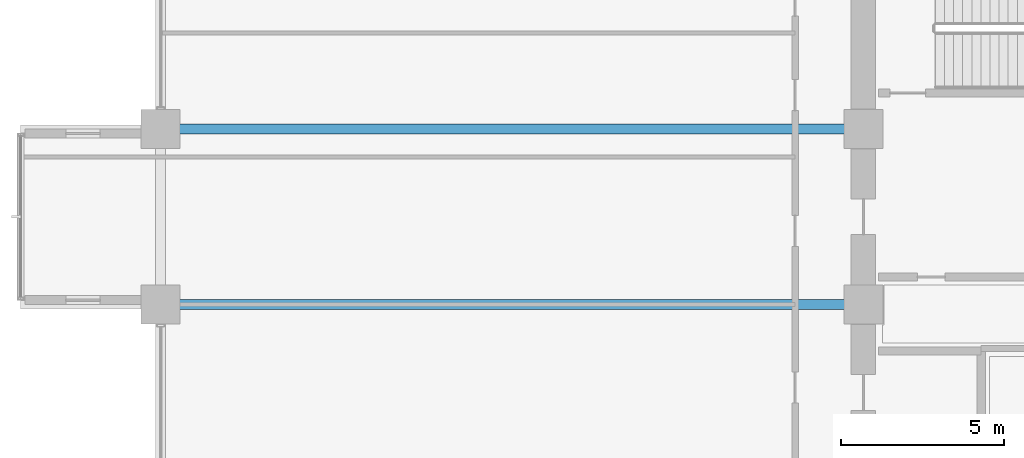
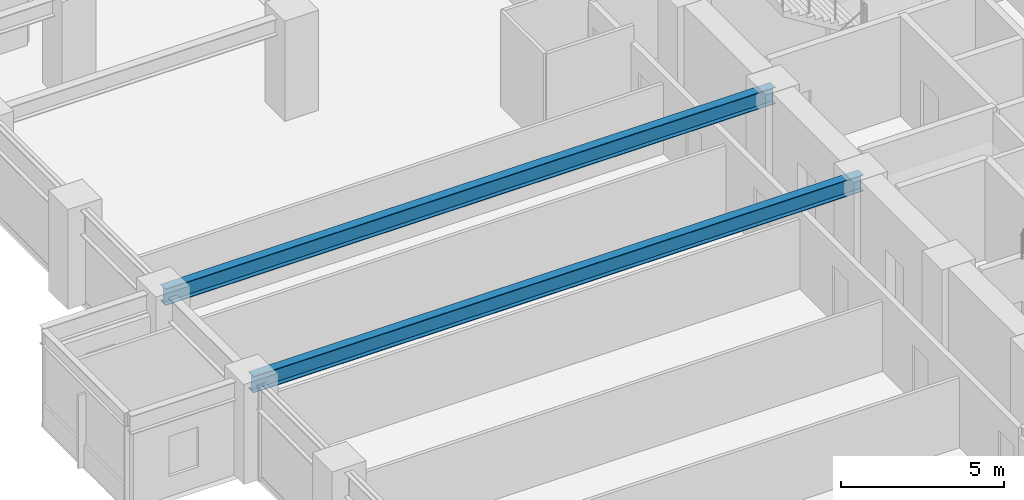
# One storey, part 6 of 28: 2 beams.
"""IFC4 building model written with IfcOpenShell, lengths in metres."""

from ifc_helpers import new_model, si_unit, direction, frame, origin, origin_2d, place, context, subcontext, project, spatial, i_section, extrude, material, material_profile, profile_set, type_object, element, save


model = new_model("IFC4")

# Units and contexts
model_context = context("Model", 3, precision=1e-05, world=origin(), true_north=direction((0.0, 1.0)))
body_context = subcontext(model_context, "Body", "Model", "MODEL_VIEW")
ifc_project = project(units=[si_unit("LENGTHUNIT", "METRE"), si_unit("AREAUNIT", "SQUARE_METRE"), si_unit("VOLUMEUNIT", "CUBIC_METRE"), si_unit("PLANEANGLEUNIT", "RADIAN"), si_unit("MASSUNIT", "GRAM", prefix="KILO")], contexts=[model_context])

# Site, building, storey
site_placement = place(None, origin())
site = spatial("IfcSite", under=ifc_project, at=site_placement, CompositionType="ELEMENT")
building_placement = place(site_placement, origin())
building = spatial("IfcBuilding", under=site, at=building_placement, Name="Surkhivell Harbour Commons", CompositionType="ELEMENT")
storey_placement = place(building_placement, frame((0.0, 0.0, 67.5)))
storey = spatial("IfcBuildingStorey", under=building, at=storey_placement, Name="L17", CompositionType="ELEMENT", Elevation=67.5)

# Beams
ifc_material = material(Name="Steel S355", Category="steel")
ifc_material_profile = material_profile(ifc_material, i_section(OverallWidth=0.306884765625, OverallDepth=0.6201171875, WebThickness=0.01416015625, FlangeThickness=0.023681640625, at=origin_2d()), Name="UB610x305x179")
ifc_profile_set = profile_set([ifc_material_profile], Name="Steel S355")
beam_type = type_object("IfcBeamType", Name="BM-GRD-610A", PredefinedType="BEAM", material=ifc_profile_set)
for number, where, z_axis, x_axis, name in (
    (1, (-32.39990234375, 0.0, 3.260009765625), (1.0, 0.0, 0.0), (0.0, 1.0, 0.0), "L17 Cantilever Back-Span Girder (-32.4,0.0)"),
    (2, (-32.39990234375, 5.39990234375, 3.260009765625), (1.0, 0.0, 0.0), (0.0, 1.0, 0.0), "L17 Cantilever Back-Span Girder (-32.4,5.4)"),
):
    element("IfcBeam", number, at=place(storey_placement, frame(where, z_axis=z_axis, x_axis=x_axis)), inside=storey, type_object=beam_type, Name=name, PredefinedType="BEAM", context=body_context, shape_type="SweptSolid", body=[
        extrude(i_section(OverallWidth=0.306884765625, OverallDepth=0.6201171875, WebThickness=0.01416015625, FlangeThickness=0.023681640625, at=origin_2d()), origin(), (0.0, 0.0, 1.0), 21.599853515625),
    ])

save(model, "model.ifc")
